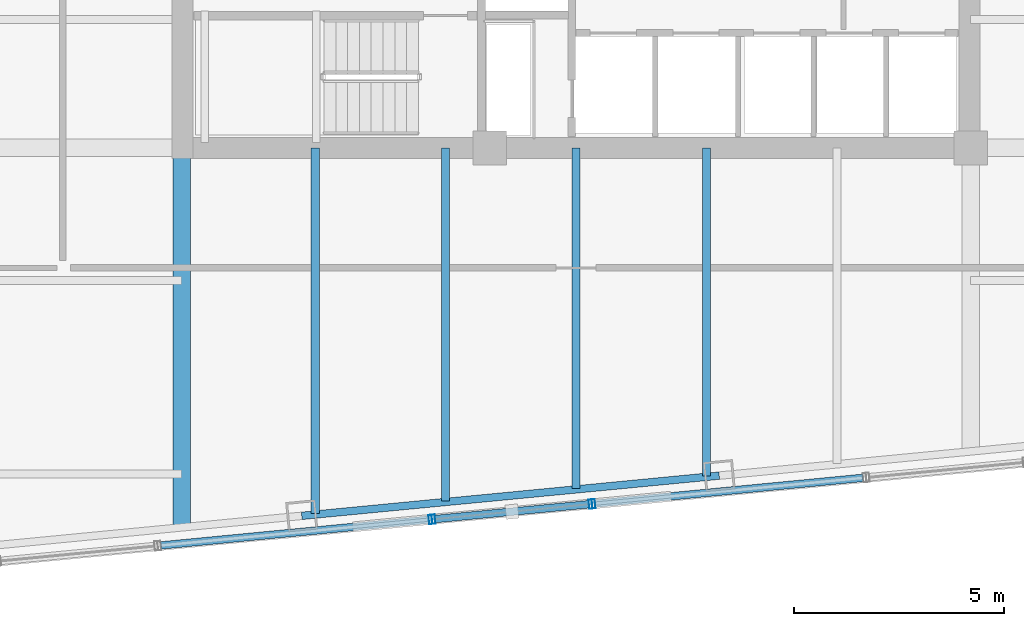
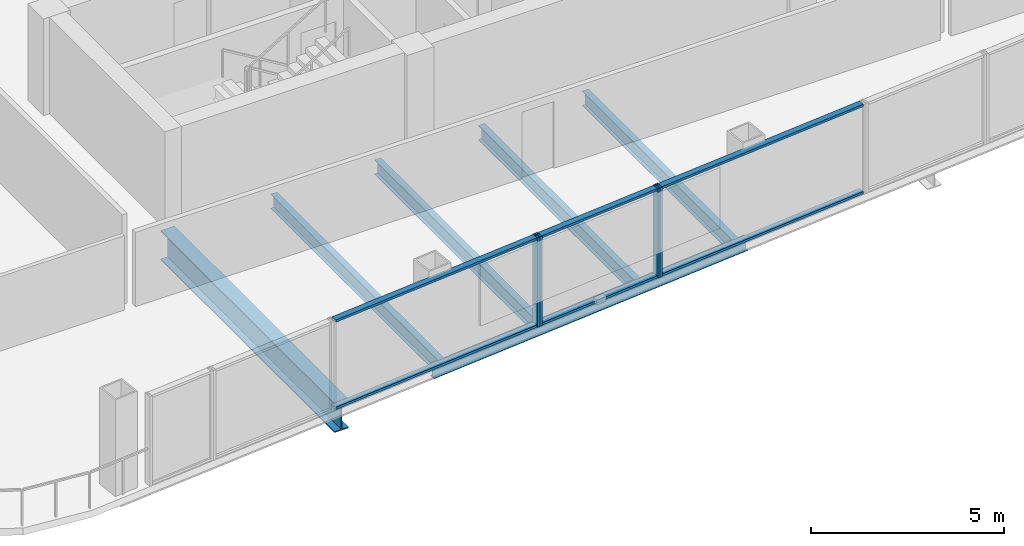
# One storey, part 4 of 21: 10 members, 6 beams, 3 elements without a shape of their own.
"""IFC4 building model written with IfcOpenShell, lengths in metres."""

from ifc_helpers import new_model, si_unit, direction, frame, origin, origin_2d, place, context, subcontext, project, spatial, hollow_rectangle, i_section, extrude, material, layer, layer_set, material_profile, profile_set, type_object, element, aggregate, save


model = new_model("IFC4")

# Units and contexts
model_context = context("Model", 3, precision=1e-05, world=origin(), true_north=direction((0.0, 1.0)))
body_context = subcontext(model_context, "Body", "Model", "MODEL_VIEW")
ifc_project = project(units=[si_unit("LENGTHUNIT", "METRE"), si_unit("AREAUNIT", "SQUARE_METRE"), si_unit("VOLUMEUNIT", "CUBIC_METRE"), si_unit("PLANEANGLEUNIT", "RADIAN"), si_unit("MASSUNIT", "GRAM", prefix="KILO")], contexts=[model_context])

# Site, building, storey
site_placement = place(None, origin())
site = spatial("IfcSite", under=ifc_project, at=site_placement, CompositionType="ELEMENT")
building_placement = place(site_placement, origin())
building = spatial("IfcBuilding", under=site, at=building_placement, Name="Qhalaya Broadcast Tower", CompositionType="ELEMENT")
storey_placement = place(building_placement, frame((0.0, 0.0, 162.25)))
storey = spatial("IfcBuildingStorey", under=building, at=storey_placement, Name="L47", CompositionType="ELEMENT", Elevation=162.25)

# Beams
ifc_material_1 = material(Name="Structural Steel ASTM A992 Grade 50", Category="steel")
ifc_material_profile_1 = material_profile(ifc_material_1, i_section(OverallWidth=0.19189453125, OverallDepth=0.462890625, WebThickness=0.010498046875, FlangeThickness=0.017578125, at=origin_2d()), Name="W18X60")
ifc_profile_set_1 = profile_set([ifc_material_profile_1], Name="Structural Steel ASTM A992 Grade 50")
beam_type_1 = type_object("IfcBeamType", Name="Composite Floor Joist J03", PredefinedType="JOIST", material=ifc_profile_set_1)
beam_1_placement = place(storey_placement, frame((-6.199951171875, -17.441650390625, -0.451416015625), z_axis=(0.0, 1.0, 0.0), x_axis=(-1.0, 0.0, 0.0)))
element("IfcBeam", 1, at=beam_1_placement, inside=storey, type_object=beam_type_1, Name="L47 J03 L47-JNS1-1", PredefinedType="JOIST", context=body_context, shape_type="SweptSolid", body=[
    extrude(i_section(OverallWidth=0.19189453125, OverallDepth=0.462890625, WebThickness=0.010498046875, FlangeThickness=0.017578125, at=origin_2d()), origin(), (0.0, 0.0, 1.0), 8.691650390625),
])
beam_2_placement = place(storey_placement, frame((-3.10009765625, -17.14306640625, -0.451416015625), z_axis=(0.0, 1.0, 0.0), x_axis=(-1.0, 0.0, 0.0)))
element("IfcBeam", 2, at=beam_2_placement, inside=storey, type_object=beam_type_1, Name="L47 J03 L47-JNS2-1", PredefinedType="JOIST", context=body_context, shape_type="SweptSolid", body=[
    extrude(i_section(OverallWidth=0.19189453125, OverallDepth=0.462890625, WebThickness=0.010498046875, FlangeThickness=0.017578125, at=origin_2d()), origin(), (0.0, 0.0, 1.0), 8.39306640625),
])
beam_3_placement = place(storey_placement, frame((0.0, -16.844482421875, -0.451416015625), z_axis=(0.0, 1.0, 0.0), x_axis=(-1.0, 0.0, 0.0)))
element("IfcBeam", 3, at=beam_3_placement, inside=storey, type_object=beam_type_1, Name="L47 J03 L47-JNS3-1", PredefinedType="JOIST", context=body_context, shape_type="SweptSolid", body=[
    extrude(i_section(OverallWidth=0.19189453125, OverallDepth=0.462890625, WebThickness=0.010498046875, FlangeThickness=0.017578125, at=origin_2d()), origin(), (0.0, 0.0, 1.0), 8.094482421875),
])
beam_4_placement = place(storey_placement, frame((3.10009765625, -16.546142578125, -0.451416015625), z_axis=(0.0, 1.0, 0.0), x_axis=(-1.0, 0.0, 0.0)))
element("IfcBeam", 4, at=beam_4_placement, inside=storey, type_object=beam_type_1, Name="L47 J03 L47-JNS4-1", PredefinedType="JOIST", context=body_context, shape_type="SweptSolid", body=[
    extrude(i_section(OverallWidth=0.19189453125, OverallDepth=0.462890625, WebThickness=0.010498046875, FlangeThickness=0.017578125, at=origin_2d()), origin(), (0.0, 0.0, 1.0), 7.796142578125),
])
ifc_material_profile_2 = material_profile(ifc_material_1, i_section(OverallWidth=0.4189453125, OverallDepth=0.927001953125, WebThickness=0.019287109375, FlangeThickness=0.031982421875, at=origin_2d()), Name="W36X231")
ifc_profile_set_2 = profile_set([ifc_material_profile_2], Name="Structural Steel ASTM A992 Grade 50")
beam_type_2 = type_object("IfcBeamType", Name="Mid Block Primary Girder PG3", PredefinedType="USERDEFINED", material=ifc_profile_set_2)
beam_5_placement = place(storey_placement, frame((-9.375, -17.747314453125, -0.68359375), z_axis=(0.0, 1.0, 0.0), x_axis=(-1.0, 0.0, 0.0)))
element("IfcBeam", 5, at=beam_5_placement, inside=storey, type_object=beam_type_2, Name="L47 PG3 L47-PGXS1-1", ObjectType="GIRDER", PredefinedType="USERDEFINED", context=body_context, shape_type="SweptSolid", body=[
    extrude(i_section(OverallWidth=0.4189453125, OverallDepth=0.927001953125, WebThickness=0.019287109375, FlangeThickness=0.031982421875, at=origin_2d()), origin(), (0.0, 0.0, 1.0), 8.997314453125),
])

# Curtain wall, member
ifc_material_2 = material(Name="Fired Architectural Terracotta", Category="masonry")
ifc_layer_1 = layer(ifc_material_2, 0.219970703125, Name="Fired Architectural Terracotta")
ifc_layer_set_1 = layer_set([ifc_layer_1], Name="Fired Architectural Terracotta")
curtain_wall_type_1 = type_object("IfcCurtainWallType", Name="Block-Cap Unitised Terracotta Spandrel Wall CW-07", PredefinedType="NOTDEFINED", material=ifc_layer_set_1)
curtain_wall_1_placement = place(storey_placement, origin())
curtain_wall_1 = element("IfcCurtainWall", 6, at=curtain_wall_1_placement, inside=storey, type_object=curtain_wall_type_1, Name="L47 Unitised Curtain Wall L47-CW-S3", PredefinedType="NOTDEFINED")
ifc_material_3 = material(Name="Anodised Aluminium 6063-T6", Category="aluminium")
ifc_material_profile_3 = material_profile(ifc_material_3, hollow_rectangle(XDim=0.074951171875, YDim=0.219970703125, WallThickness=0.00390625, at=origin_2d()), Name="ALU-MUL 75x220x4")
ifc_profile_set_3 = profile_set([ifc_material_profile_3], Name="Anodised Aluminium 6063-T6")
member_type_1 = type_object("IfcMemberType", Name="Unitised Curtain-Wall Mullion M01", PredefinedType="MULLION", material=ifc_profile_set_3)
member_1_placement = place(storey_placement, frame((-3.4638671875, -17.580078125, 0.0), z_axis=(0.0, 0.0, 1.0), x_axis=(0.995396395442, 0.095843705796, 0.0)))
member_1 = element("IfcMember", 7, at=member_1_placement, type_object=member_type_1, Name="CW-07 mullion 2", PredefinedType="MULLION", context=body_context, shape_type="SweptSolid", body=[
    extrude(hollow_rectangle(XDim=0.074951171875, YDim=0.219970703125, WallThickness=0.00390625, at=origin_2d()), origin(), (0.0, 0.0, 1.0), 2.830078125),
])

# Curtain wall, members
ifc_material_4 = material(Name="Solar-Control Low-E Triple Glazing", Category="glass")
ifc_layer_2 = layer(ifc_material_4, 0.219970703125, Name="Solar-Control Low-E Triple Glazing")
ifc_layer_set_2 = layer_set([ifc_layer_2], Name="Solar-Control Low-E Triple Glazing")
curtain_wall_type_2 = type_object("IfcCurtainWallType", Name="Even-Block 4-Storey Double-Module Curtain Wall CW-03", PredefinedType="NOTDEFINED", material=ifc_layer_set_2)
curtain_wall_2_placement = place(storey_placement, origin())
curtain_wall_2 = element("IfcCurtainWall", 8, at=curtain_wall_2_placement, inside=storey, type_object=curtain_wall_type_2, Name="L47 Unitised Curtain Wall L47-CW-S4", PredefinedType="NOTDEFINED")
member_2_placement = place(storey_placement, frame((-3.38916015625, -17.57275390625, 0.0), z_axis=(0.0, 0.0, 1.0), x_axis=(0.995394252506, 0.095865958916, 0.0)))
member_2 = element("IfcMember", 9, at=member_2_placement, type_object=member_type_1, Name="CW-03 mullion 1", PredefinedType="MULLION", context=body_context, shape_type="SweptSolid", body=[
    extrude(hollow_rectangle(XDim=0.074951171875, YDim=0.219970703125, WallThickness=0.00390625, at=origin_2d()), origin(), (0.0, 0.0, 1.0), 2.830078125),
])
member_3_placement = place(storey_placement, frame((0.340576171875, -17.213623046875, 0.0), z_axis=(0.0, 0.0, 1.0), x_axis=(0.995394252506, 0.095865958916, 0.0)))
member_3 = element("IfcMember", 10, at=member_3_placement, type_object=member_type_1, Name="CW-03 mullion 2", PredefinedType="MULLION", context=body_context, shape_type="SweptSolid", body=[
    extrude(hollow_rectangle(XDim=0.074951171875, YDim=0.219970703125, WallThickness=0.00390625, at=origin_2d()), origin(), (0.0, 0.0, 1.0), 2.830078125),
])

# Curtain wall, member
curtain_wall_3_placement = place(storey_placement, origin())
curtain_wall_3 = element("IfcCurtainWall", 11, at=curtain_wall_3_placement, inside=storey, type_object=curtain_wall_type_1, Name="L47 Unitised Curtain Wall L47-CW-S5", PredefinedType="NOTDEFINED")
member_4_placement = place(storey_placement, frame((0.415283203125, -17.206298828125, 0.0), z_axis=(0.0, 0.0, 1.0), x_axis=(0.995396255089, 0.095845163439, 0.0)))
member_4 = element("IfcMember", 12, at=member_4_placement, type_object=member_type_1, Name="CW-07 mullion 1", PredefinedType="MULLION", context=body_context, shape_type="SweptSolid", body=[
    extrude(hollow_rectangle(XDim=0.074951171875, YDim=0.219970703125, WallThickness=0.00390625, at=origin_2d()), origin(), (0.0, 0.0, 1.0), 2.830078125),
])

# Member
ifc_material_profile_4 = material_profile(ifc_material_3, hollow_rectangle(XDim=0.074951171875, YDim=0.179931640625, WallThickness=0.00390625, at=origin_2d()), Name="ALU-TRN 75x180x4")
ifc_profile_set_4 = profile_set([ifc_material_profile_4], Name="Anodised Aluminium 6063-T6")
member_type_2 = type_object("IfcMemberType", Name="Unitised Curtain-Wall Transom T01", PredefinedType="USERDEFINED", material=ifc_profile_set_4)
member_5_placement = place(storey_placement, frame((-9.86669921875, -18.196533203125, 0.03759765625), z_axis=(0.995394538627, 0.095862988014, 0.0), x_axis=(0.0, 0.0, 1.0)))
member_5 = element("IfcMember", 13, at=member_5_placement, type_object=member_type_2, Name="CW-07 transom 1.1", ObjectType="TRANSOM", PredefinedType="USERDEFINED", context=body_context, shape_type="SweptSolid", body=[
    extrude(hollow_rectangle(XDim=0.074951171875, YDim=0.179931640625, WallThickness=0.00390625, at=origin_2d()), origin(), (0.0, 0.0, 1.0), 6.39501953125),
])

member_6_placement = place(storey_placement, frame((-9.86669921875, -18.196533203125, 2.79248046875), z_axis=(0.995394538627, 0.095862988014, 0.0), x_axis=(0.0, 0.0, 1.0)))
member_6 = element("IfcMember", 14, at=member_6_placement, type_object=member_type_2, Name="CW-07 transom 1.2", ObjectType="TRANSOM", PredefinedType="USERDEFINED", context=body_context, shape_type="SweptSolid", body=[
    extrude(hollow_rectangle(XDim=0.074951171875, YDim=0.179931640625, WallThickness=0.00390625, at=origin_2d()), origin(), (0.0, 0.0, 1.0), 6.39501953125),
])

aggregate(curtain_wall_1, [member_1, member_5, member_6])

member_7_placement = place(storey_placement, frame((-3.351806640625, -17.569091796875, 0.03759765625), z_axis=(0.995399644298, 0.095809958415, 0.0), x_axis=(0.0, 0.0, 1.0)))
member_7 = element("IfcMember", 15, at=member_7_placement, type_object=member_type_2, Name="CW-03 transom 1.1", ObjectType="TRANSOM", PredefinedType="USERDEFINED", context=body_context, shape_type="SweptSolid", body=[
    extrude(hollow_rectangle(XDim=0.074951171875, YDim=0.179931640625, WallThickness=0.00390625, at=origin_2d()), origin(), (0.0, 0.0, 1.0), 3.671875),
])

member_8_placement = place(storey_placement, frame((-3.351806640625, -17.569091796875, 2.79248046875), z_axis=(0.995399644298, 0.095809958415, 0.0), x_axis=(0.0, 0.0, 1.0)))
member_8 = element("IfcMember", 16, at=member_8_placement, type_object=member_type_2, Name="CW-03 transom 1.2", ObjectType="TRANSOM", PredefinedType="USERDEFINED", context=body_context, shape_type="SweptSolid", body=[
    extrude(hollow_rectangle(XDim=0.074951171875, YDim=0.179931640625, WallThickness=0.00390625, at=origin_2d()), origin(), (0.0, 0.0, 1.0), 3.671875),
])

aggregate(curtain_wall_2, [member_2, member_3, member_7, member_8])

member_9_placement = place(storey_placement, frame((0.45263671875, -17.202880859375, 0.03759765625), z_axis=(0.995394538627, 0.095862988014, 0.0), x_axis=(0.0, 0.0, 1.0)))
member_9 = element("IfcMember", 17, at=member_9_placement, type_object=member_type_2, Name="CW-07 transom 1.1", ObjectType="TRANSOM", PredefinedType="USERDEFINED", context=body_context, shape_type="SweptSolid", body=[
    extrude(hollow_rectangle(XDim=0.074951171875, YDim=0.179931640625, WallThickness=0.00390625, at=origin_2d()), origin(), (0.0, 0.0, 1.0), 6.39501953125),
])

member_10_placement = place(storey_placement, frame((0.45263671875, -17.202880859375, 2.79248046875), z_axis=(0.995394538627, 0.095862988014, 0.0), x_axis=(0.0, 0.0, 1.0)))
member_10 = element("IfcMember", 18, at=member_10_placement, type_object=member_type_2, Name="CW-07 transom 1.2", ObjectType="TRANSOM", PredefinedType="USERDEFINED", context=body_context, shape_type="SweptSolid", body=[
    extrude(hollow_rectangle(XDim=0.074951171875, YDim=0.179931640625, WallThickness=0.00390625, at=origin_2d()), origin(), (0.0, 0.0, 1.0), 6.39501953125),
])

aggregate(curtain_wall_3, [member_4, member_9, member_10])

# Beam
ifc_material_profile_5 = material_profile(ifc_material_1, i_section(OverallWidth=0.177978515625, OverallDepth=0.406005859375, WebThickness=0.0078125, FlangeThickness=0.0126953125, at=origin_2d()), Name="W16X40")
ifc_profile_set_5 = profile_set([ifc_material_profile_5], Name="Structural Steel ASTM A992 Grade 50")
beam_type_3 = type_object("IfcBeamType", Name="Upper Perimeter Spandrel Beam SP2", PredefinedType="SPANDREL", material=ifc_profile_set_5)
beam_6_placement = place(storey_placement, frame((-6.521240234375, -17.49267578125, -0.423095703125), z_axis=(0.99539573508, 0.095850563819, 0.0), x_axis=(-0.095850563819, 0.99539573508, 0.0)))
element("IfcBeam", 19, at=beam_6_placement, inside=storey, type_object=beam_type_3, Name="L47 SP2 L47-SPR-02", PredefinedType="SPANDREL", context=body_context, shape_type="SweptSolid", body=[
    extrude(i_section(OverallWidth=0.177978515625, OverallDepth=0.406005859375, WebThickness=0.0078125, FlangeThickness=0.0126953125, at=origin_2d()), origin(), (0.0, 0.0, 1.0), 9.966796875),
])

save(model, "model.ifc")
